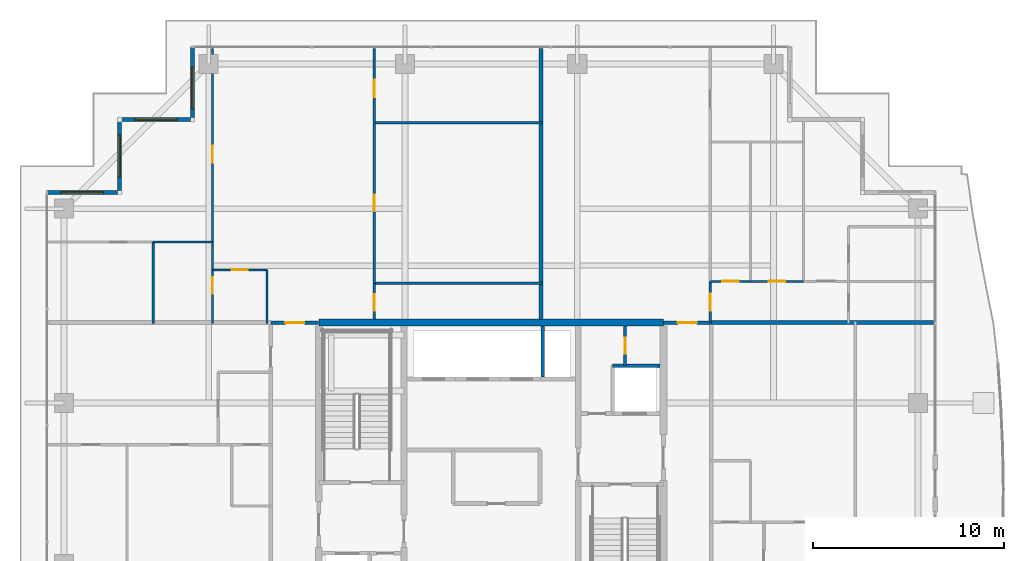
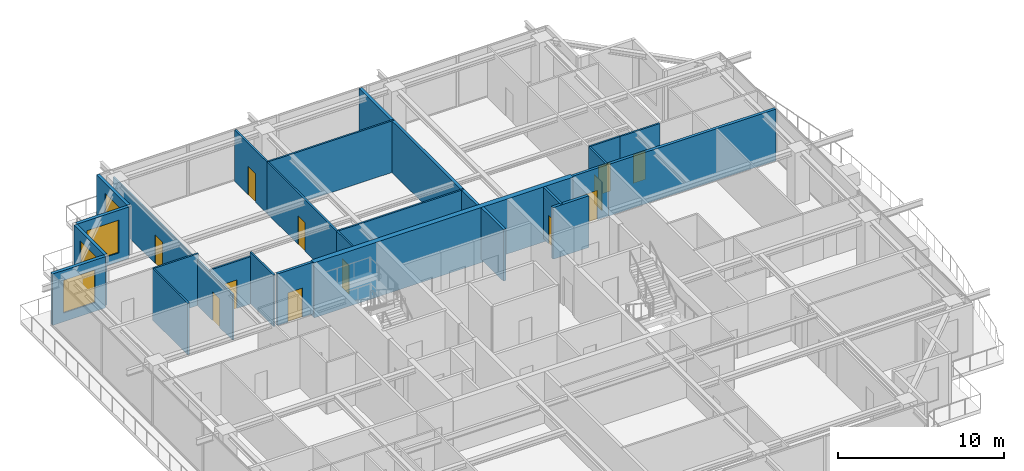
# One storey, part 34 of 42: 26 walls, 12 doors, 4 windows, 16 openings.
"""IFC4 building model written with IfcOpenShell, lengths in metres."""

from ifc_helpers import new_model, si_unit, direction, frame, frame_2d, origin, place, context, subcontext, project, spatial, rectangle, extrude, source, transform, mapped, material, layer, layer_set, type_object, element, fill, save


model = new_model("IFC4")

# Units and contexts
model_context = context("Model", 3, precision=1e-05, world=origin(), true_north=direction((0.0, 1.0)))
body_context = subcontext(model_context, "Body", "Model", "MODEL_VIEW")
ifc_project = project(units=[si_unit("LENGTHUNIT", "METRE"), si_unit("AREAUNIT", "SQUARE_METRE"), si_unit("VOLUMEUNIT", "CUBIC_METRE"), si_unit("PLANEANGLEUNIT", "RADIAN"), si_unit("MASSUNIT", "GRAM", prefix="KILO")], contexts=[model_context])

# Site, building, storey
site_placement = place(None, origin())
site = spatial("IfcSite", under=ifc_project, at=site_placement, CompositionType="ELEMENT")
building_placement = place(site_placement, origin())
building = spatial("IfcBuilding", under=site, at=building_placement, Name="Serunith Strait Residences", CompositionType="ELEMENT")
storey_placement = place(building_placement, frame((0.0, 0.0, 297.5)))
storey = spatial("IfcBuildingStorey", under=building, at=storey_placement, Name="L74", CompositionType="ELEMENT", Elevation=297.5)

# Wall, opening, window
ifc_material_1 = material(Name="Pale-Champagne Aluminium Insulated Panel", Category="aluminium")
ifc_layer_1 = layer(ifc_material_1, 0.219970703125, Name="Pale-Champagne Aluminium Insulated Panel")
ifc_layer_set_1 = layer_set([ifc_layer_1], Name="Pale-Champagne Aluminium Insulated Panel")
wall_type_1 = type_object("IfcWallType", Name="EW-ALUM-220", PredefinedType="ELEMENTEDWALL", material=ifc_layer_set_1)
wall_1_placement = place(storey_placement, frame((16.800048828125, 48.0, 0.0), z_axis=(0.0, 0.0, 1.0), x_axis=(0.0, -1.0, 0.0)))
wall_1 = element("IfcWall", 1, at=wall_1_placement, inside=storey, type_object=wall_type_1, Name="L74 Girih Serrated Corner Wall 12", PredefinedType="ELEMENTEDWALL", context=body_context, shape_type="SweptSolid", body=[
    extrude(rectangle(XDim=3.68994140625, YDim=0.219970703125, at=frame_2d((1.844970703125, 0.0))), origin(), (0.0, 0.0, 1.0), 3.77490234375),
])
opening_1_placement = place(wall_1_placement, frame((1.04296875, 0.0, 0.64990234375)))
opening_1 = element("IfcOpeningElement", 2, at=opening_1_placement, cuts=wall_1, Name="Opening W-06", PredefinedType="OPENING", context=body_context, shape_type="SweptSolid", body=[
    extrude(rectangle(XDim=2.199951171875, YDim=2.39990234375, at=frame_2d((1.10009765625, 1.199951171875))), frame((0.0, 0.1201171875, 0.0), z_axis=(0.0, -1.0, 0.0), x_axis=(1.0, 0.0, 0.0)), (0.0, 0.0, 1.0), 0.239990234375),
])
ifc_material_2 = material(Name="Crown Penthouse Low-E Operable Window Glass", Category="glass")
window_type = type_object("IfcWindowType", Name="WIN-C6", PartitioningType="TRIPLE_PANEL_VERTICAL", PredefinedType="WINDOW", material=ifc_material_2)
shared_shape_1 = source(origin(), body_context, "Body", "SweptSolid", [
    extrude(rectangle(XDim=2.199951171875, YDim=2.39990234375, at=frame_2d((1.10009765625, 1.199951171875))), frame((0.0, 0.030029296875, 0.0), z_axis=(0.0, -1.0, 0.0), x_axis=(1.0, 0.0, 0.0)), (0.0, 0.0, 1.0), 0.06005859375),
])
window_1_placement = place(opening_1_placement, origin())
window_1 = element("IfcWindow", 3, at=window_1_placement, inside=storey, type_object=window_type, Name="L74 Corner Operable Fritted Window 12", OverallHeight=2.39990234375, OverallWidth=2.199951171875, PartitioningType="SINGLE_PANEL", PredefinedType="WINDOW", context=body_context, shape_type="MappedRepresentation", body=[
    mapped(shared_shape_1, transform((0.0, 0.0, 0.0), scale=1.0)),
])
fill(opening_1, window_1)

wall_2_placement = place(storey_placement, frame((16.68994140625, 44.199951171875, 0.0), z_axis=(0.0, 0.0, 1.0), x_axis=(-1.0, 0.0, 0.0)))
wall_2 = element("IfcWall", 4, at=wall_2_placement, inside=storey, type_object=wall_type_1, Name="L74 Girih Serrated Corner Wall 13", PredefinedType="ELEMENTEDWALL", context=body_context, shape_type="SweptSolid", body=[
    extrude(rectangle(XDim=3.579833984375, YDim=0.219970703125, at=frame_2d((1.7900390625, 0.0))), origin(), (0.0, 0.0, 1.0), 3.77490234375),
])
opening_2_placement = place(wall_2_placement, frame((0.68994140625, 0.0, 0.64990234375)))
opening_2 = element("IfcOpeningElement", 5, at=opening_2_placement, cuts=wall_2, Name="Opening W-06", PredefinedType="OPENING", context=body_context, shape_type="SweptSolid", body=[
    extrude(rectangle(XDim=2.199951171875, YDim=2.39990234375, at=frame_2d((1.10009765625, 1.199951171875))), frame((0.0, 0.1201171875, 0.0), z_axis=(0.0, -1.0, 0.0), x_axis=(1.0, 0.0, 0.0)), (0.0, 0.0, 1.0), 0.239990234375),
])
window_2_placement = place(opening_2_placement, origin())
window_2 = element("IfcWindow", 6, at=window_2_placement, inside=storey, type_object=window_type, Name="L74 Corner Operable Fritted Window 13", OverallHeight=2.39990234375, OverallWidth=2.199951171875, PartitioningType="SINGLE_PANEL", PredefinedType="WINDOW", context=body_context, shape_type="MappedRepresentation", body=[
    mapped(shared_shape_1, transform((0.0, 0.0, 0.0), scale=1.0)),
])
fill(opening_2, window_2)

wall_3_placement = place(storey_placement, frame((13.0, 44.090087890625, 0.0), z_axis=(0.0, 0.0, 1.0), x_axis=(0.0, -1.0, 0.0)))
wall_3 = element("IfcWall", 7, at=wall_3_placement, inside=storey, type_object=wall_type_1, Name="L74 Girih Serrated Corner Wall 14", PredefinedType="ELEMENTEDWALL", context=body_context, shape_type="SweptSolid", body=[
    extrude(rectangle(XDim=3.580078125, YDim=0.219970703125, at=frame_2d((1.7900390625, 0.0))), origin(), (0.0, 0.0, 1.0), 3.77490234375),
])
opening_3_placement = place(wall_3_placement, frame((0.68994140625, 0.0, 0.64990234375)))
opening_3 = element("IfcOpeningElement", 8, at=opening_3_placement, cuts=wall_3, Name="Opening W-06", PredefinedType="OPENING", context=body_context, shape_type="SweptSolid", body=[
    extrude(rectangle(XDim=2.199951171875, YDim=2.39990234375, at=frame_2d((1.10009765625, 1.199951171875))), frame((0.0, 0.1201171875, 0.0), z_axis=(0.0, -1.0, 0.0), x_axis=(1.0, 0.0, 0.0)), (0.0, 0.0, 1.0), 0.239990234375),
])
window_3_placement = place(opening_3_placement, origin())
window_3 = element("IfcWindow", 9, at=window_3_placement, inside=storey, type_object=window_type, Name="L74 Corner Operable Fritted Window 14", OverallHeight=2.39990234375, OverallWidth=2.199951171875, PartitioningType="SINGLE_PANEL", PredefinedType="WINDOW", context=body_context, shape_type="MappedRepresentation", body=[
    mapped(shared_shape_1, transform((0.0, 0.0, 0.0), scale=1.0)),
])
fill(opening_3, window_3)

wall_4_placement = place(storey_placement, frame((12.889892578125, 40.39990234375, 0.0), z_axis=(0.0, 0.0, 1.0), x_axis=(-1.0, 0.0, 0.0)))
wall_4 = element("IfcWall", 10, at=wall_4_placement, inside=storey, type_object=wall_type_1, Name="L74 Girih Serrated Corner Wall 15", PredefinedType="ELEMENTEDWALL", context=body_context, shape_type="SweptSolid", body=[
    extrude(rectangle(XDim=3.68994140625, YDim=0.219970703125, at=frame_2d((1.844970703125, 0.0))), origin(), (0.0, 0.0, 1.0), 3.77490234375),
])
opening_4_placement = place(wall_4_placement, frame((0.7451171875, 0.0, 0.64990234375)))
opening_4 = element("IfcOpeningElement", 11, at=opening_4_placement, cuts=wall_4, Name="Opening W-06", PredefinedType="OPENING", context=body_context, shape_type="SweptSolid", body=[
    extrude(rectangle(XDim=2.199951171875, YDim=2.39990234375, at=frame_2d((1.10009765625, 1.199951171875))), frame((0.0, 0.1201171875, 0.0), z_axis=(0.0, -1.0, 0.0), x_axis=(1.0, 0.0, 0.0)), (0.0, 0.0, 1.0), 0.239990234375),
])
window_4_placement = place(opening_4_placement, origin())
window_4 = element("IfcWindow", 12, at=window_4_placement, inside=storey, type_object=window_type, Name="L74 Corner Operable Fritted Window 15", OverallHeight=2.39990234375, OverallWidth=2.199951171875, PartitioningType="SINGLE_PANEL", PredefinedType="WINDOW", context=body_context, shape_type="MappedRepresentation", body=[
    mapped(shared_shape_1, transform((0.0, 0.0, 0.0), scale=1.0)),
])
fill(opening_4, window_4)

# Wall, opening, door
ifc_material_3 = material(Name="Fire-rated masonry service closet wall", Category="masonry")
ifc_layer_2 = layer(ifc_material_3, 0.14990234375, Name="Fire-rated masonry service closet wall")
ifc_layer_set_2 = layer_set([ifc_layer_2], Name="Fire-rated masonry service closet wall")
wall_type_2 = type_object("IfcWallType", Name="IW-BOH-150", PredefinedType="PARTITIONING", material=ifc_layer_set_2)
wall_5_placement = place(storey_placement, frame((39.39990234375, 31.35009765625, 0.0), z_axis=(0.0, 0.0, 1.0), x_axis=(0.0, 1.0, 0.0)))
wall_5 = element("IfcWall", 13, at=wall_5_placement, inside=storey, type_object=wall_type_2, Name="L74 Partition Wall 012", PredefinedType="PARTITIONING", context=body_context, shape_type="SweptSolid", body=[
    extrude(rectangle(XDim=2.074951171875, YDim=0.14990234375, at=frame_2d((1.03759765625, 0.0))), origin(), (0.0, 0.0, 1.0), 3.7900390625),
])
opening_5_placement = place(wall_5_placement, frame((0.612060546875, 0.0, 0.0)))
opening_5 = element("IfcOpeningElement", 14, at=opening_5_placement, cuts=wall_5, Name="Opening FD-850", PredefinedType="OPENING", context=body_context, shape_type="SweptSolid", body=[
    extrude(rectangle(XDim=0.85009765625, YDim=2.10009765625, at=frame_2d((0.425048828125, 1.050048828125))), frame((0.0, 0.0849609375, 0.0), z_axis=(0.0, -1.0, 0.0), x_axis=(1.0, 0.0, 0.0)), (0.0, 0.0, 1.0), 0.169921875),
])
ifc_material_4 = material(Name="Powder-coated steel service closet door", Category="steel")
door_type_1 = type_object("IfcDoorType", Name="FD-BOH-850", OperationType="NOTDEFINED", PredefinedType="DOOR", material=ifc_material_4)
shared_shape_2 = source(origin(), body_context, "Body", "SweptSolid", [
    extrude(rectangle(XDim=0.85009765625, YDim=2.10009765625, at=frame_2d((0.425048828125, 1.050048828125))), frame((0.0, 0.02490234375, 0.0), z_axis=(0.0, -1.0, 0.0), x_axis=(1.0, 0.0, 0.0)), (0.0, 0.0, 1.0), 0.050048828125),
])
door_1_placement = place(opening_5_placement, origin())
door_1 = element("IfcDoor", 15, at=door_1_placement, inside=storey, type_object=door_type_1, Name="L74 Janitor Store Door", OperationType="SINGLE_SWING_RIGHT", OverallHeight=2.10009765625, OverallWidth=0.85009765625, PredefinedType="DOOR", context=body_context, shape_type="MappedRepresentation", body=[
    mapped(shared_shape_2, transform((0.0, 0.0, 0.0), scale=1.0)),
])
fill(opening_5, door_1)

ifc_material_5 = material(Name="Fire-rated acoustic gypsum partition")
ifc_layer_3 = layer(ifc_material_5, 0.179931640625, Name="Fire-rated acoustic gypsum partition")
ifc_layer_set_3 = layer_set([ifc_layer_3], Name="Fire-rated acoustic gypsum partition")
wall_type_3 = type_object("IfcWallType", Name="IW-CORR-180", PredefinedType="PARTITIONING", material=ifc_layer_set_3)
wall_6_placement = place(storey_placement, frame((20.902099609375, 33.60009765625, 0.0), z_axis=(0.0, 0.0, 1.0), x_axis=(1.0, 0.0, 0.0)))
wall_6 = element("IfcWall", 16, at=wall_6_placement, inside=storey, type_object=wall_type_3, Name="L74 Partition Wall 027", PredefinedType="PARTITIONING", context=body_context, shape_type="SweptSolid", body=[
    extrude(rectangle(XDim=2.495849609375, YDim=0.179931640625, at=frame_2d((1.248046875, 0.0))), origin(), (0.0, 0.0, 1.0), 3.7900390625),
])
opening_6_placement = place(wall_6_placement, frame((0.748046875, 0.0, 0.0)))
opening_6 = element("IfcOpeningElement", 17, at=opening_6_placement, cuts=wall_6, Name="Opening D-APT1000", PredefinedType="OPENING", context=body_context, shape_type="SweptSolid", body=[
    extrude(rectangle(XDim=1.0, YDim=2.14990234375, at=frame_2d((0.5, 1.074951171875))), frame((0.0, 0.10009765625, 0.0), z_axis=(0.0, -1.0, 0.0), x_axis=(1.0, 0.0, 0.0)), (0.0, 0.0, 1.0), 0.199951171875),
])
ifc_material_6 = material(Name="Solid timber engineered fire door", Category="wood")
door_type_2 = type_object("IfcDoorType", Name="ID-APT-1000", OperationType="NOTDEFINED", PredefinedType="DOOR", material=ifc_material_6)
shared_shape_3 = source(origin(), body_context, "Body", "SweptSolid", [
    extrude(rectangle(XDim=1.0, YDim=2.14990234375, at=frame_2d((0.5, 1.074951171875))), frame((0.0, 0.02490234375, 0.0), z_axis=(0.0, -1.0, 0.0), x_axis=(1.0, 0.0, 0.0)), (0.0, 0.0, 1.0), 0.050048828125),
])
door_2_placement = place(opening_6_placement, origin())
door_2 = element("IfcDoor", 18, at=door_2_placement, inside=storey, type_object=door_type_2, Name="L74 Unit 03 Entrance Door", OperationType="SINGLE_SWING_LEFT", OverallHeight=2.14990234375, OverallWidth=1.0, PredefinedType="DOOR", context=body_context, shape_type="MappedRepresentation", body=[
    mapped(shared_shape_3, transform((0.0, 0.0, 0.0), scale=1.0)),
])
fill(opening_6, door_2)

wall_7_placement = place(storey_placement, frame((41.402099609375, 33.60009765625, 0.0), z_axis=(0.0, 0.0, 1.0), x_axis=(1.0, 0.0, 0.0)))
wall_7 = element("IfcWall", 19, at=wall_7_placement, inside=storey, type_object=wall_type_3, Name="L74 Partition Wall 030", PredefinedType="PARTITIONING", context=body_context, shape_type="SweptSolid", body=[
    extrude(rectangle(XDim=2.495849609375, YDim=0.179931640625, at=frame_2d((1.248046875, 0.0))), origin(), (0.0, 0.0, 1.0), 3.7900390625),
])
opening_7_placement = place(wall_7_placement, frame((0.748046875, 0.0, 0.0)))
opening_7 = element("IfcOpeningElement", 20, at=opening_7_placement, cuts=wall_7, Name="Opening D-APT1000", PredefinedType="OPENING", context=body_context, shape_type="SweptSolid", body=[
    extrude(rectangle(XDim=1.0, YDim=2.14990234375, at=frame_2d((0.5, 1.074951171875))), frame((0.0, 0.10009765625, 0.0), z_axis=(0.0, -1.0, 0.0), x_axis=(1.0, 0.0, 0.0)), (0.0, 0.0, 1.0), 0.199951171875),
])
door_3_placement = place(opening_7_placement, origin())
door_3 = element("IfcDoor", 21, at=door_3_placement, inside=storey, type_object=door_type_2, Name="L74 Unit 04 Entrance Door", OperationType="SINGLE_SWING_RIGHT", OverallHeight=2.14990234375, OverallWidth=1.0, PredefinedType="DOOR", context=body_context, shape_type="MappedRepresentation", body=[
    mapped(shared_shape_3, transform((0.0, 0.0, 0.0), scale=1.0)),
])
fill(opening_7, door_3)

ifc_material_7 = material(Name="Lightweight steel-stud gypsum partition", Category="steel")
ifc_layer_4 = layer(ifc_material_7, 0.1201171875, Name="Lightweight steel-stud gypsum partition")
ifc_layer_set_4 = layer_set([ifc_layer_4], Name="Lightweight steel-stud gypsum partition")
wall_type_4 = type_object("IfcWallType", Name="IW-PART-120", PredefinedType="PARTITIONING", material=ifc_layer_set_4)
wall_8_placement = place(storey_placement, frame((17.85009765625, 36.35009765625, 0.0), z_axis=(0.0, 0.0, 1.0), x_axis=(1.0, 0.0, 0.0)))
wall_8 = element("IfcWall", 22, at=wall_8_placement, inside=storey, type_object=wall_type_4, Name="L74 Partition Wall 057", PredefinedType="PARTITIONING", context=body_context, shape_type="SweptSolid", body=[
    extrude(rectangle(XDim=2.849853515625, YDim=0.1201171875, at=frame_2d((1.4248046875, 0.0))), origin(), (0.0, 0.0, 1.0), 3.471923828125),
])
opening_8_placement = place(wall_8_placement, frame((1.0, 0.0, 0.0)))
opening_8 = element("IfcOpeningElement", 23, at=opening_8_placement, cuts=wall_8, Name="Opening D-RM850", PredefinedType="OPENING", context=body_context, shape_type="SweptSolid", body=[
    extrude(rectangle(XDim=0.85009765625, YDim=2.10009765625, at=frame_2d((0.425048828125, 1.050048828125))), frame((0.0, 0.070068359375, 0.0), z_axis=(0.0, -1.0, 0.0), x_axis=(1.0, 0.0, 0.0)), (0.0, 0.0, 1.0), 0.14013671875),
])
ifc_material_8 = material(Name="Engineered timber flush study and kitchen door", Category="wood")
door_type_3 = type_object("IfcDoorType", Name="ID-ROOM-850", OperationType="NOTDEFINED", PredefinedType="DOOR", material=ifc_material_8)
door_4_placement = place(opening_8_placement, origin())
door_4 = element("IfcDoor", 24, at=door_4_placement, inside=storey, type_object=door_type_3, Name="L74 Kitchen 7403 Door", OperationType="SINGLE_SWING_RIGHT", OverallHeight=2.10009765625, OverallWidth=0.85009765625, PredefinedType="DOOR", context=body_context, shape_type="MappedRepresentation", body=[
    mapped(shared_shape_2, transform((0.0, 0.0, 0.0), scale=1.0)),
])
fill(opening_8, door_4)

# Wall
wall_9_placement = place(storey_placement, frame((20.699951171875, 36.35009765625, 0.0), z_axis=(0.0, 0.0, 1.0), x_axis=(0.0, -1.0, 0.0)))
element("IfcWall", 25, at=wall_9_placement, inside=storey, type_object=wall_type_4, Name="L74 Partition Wall 058", PredefinedType="PARTITIONING", context=body_context, shape_type="SweptSolid", body=[
    extrude(rectangle(XDim=2.81005859375, YDim=0.1201171875, at=frame_2d((1.405029296875, 0.0))), origin(), (0.0, 0.0, 1.0), 3.7900390625),
])

# Wall, opening, door
wall_10_placement = place(storey_placement, frame((17.85009765625, 47.905029296875, 0.0), z_axis=(0.0, 0.0, 1.0), x_axis=(0.0, -1.0, 0.0)))
wall_10 = element("IfcWall", 26, at=wall_10_placement, inside=storey, type_object=wall_type_4, Name="L74 Partition Wall 059", PredefinedType="PARTITIONING", context=body_context, shape_type="SweptSolid", body=[
    extrude(rectangle(XDim=10.09814453125, YDim=0.1201171875, at=frame_2d((5.049072265625, 0.0))), origin(), (0.0, 0.0, 1.0), 3.2919921875),
])
opening_9_placement = place(wall_10_placement, frame((5.05908203125, 0.0, 0.0)))
opening_9 = element("IfcOpeningElement", 27, at=opening_9_placement, cuts=wall_10, Name="Opening D-RM900", PredefinedType="OPENING", context=body_context, shape_type="SweptSolid", body=[
    extrude(rectangle(XDim=0.89990234375, YDim=2.10009765625, at=frame_2d((0.449951171875, 1.050048828125))), frame((0.0, 0.070068359375, 0.0), z_axis=(0.0, -1.0, 0.0), x_axis=(1.0, 0.0, 0.0)), (0.0, 0.0, 1.0), 0.14013671875),
])
ifc_material_9 = material(Name="Engineered timber flush bedroom door", Category="wood")
door_type_4 = type_object("IfcDoorType", Name="ID-ROOM-900", OperationType="NOTDEFINED", PredefinedType="DOOR", material=ifc_material_9)
shared_shape_4 = source(origin(), body_context, "Body", "SweptSolid", [
    extrude(rectangle(XDim=0.89990234375, YDim=2.10009765625, at=frame_2d((0.449951171875, 1.050048828125))), frame((0.0, 0.02490234375, 0.0), z_axis=(0.0, -1.0, 0.0), x_axis=(1.0, 0.0, 0.0)), (0.0, 0.0, 1.0), 0.050048828125),
])
door_5_placement = place(opening_9_placement, origin())
door_5 = element("IfcDoor", 28, at=door_5_placement, inside=storey, type_object=door_type_4, Name="L74 Master Bedroom 1 7403 Door", OperationType="SINGLE_SWING_LEFT", OverallHeight=2.10009765625, OverallWidth=0.89990234375, PredefinedType="DOOR", context=body_context, shape_type="MappedRepresentation", body=[
    mapped(shared_shape_4, transform((0.0, 0.0, 0.0), scale=1.0)),
])
fill(opening_9, door_5)

# Walls
wall_11_placement = place(storey_placement, frame((14.751953125, 37.806884765625, 0.0), z_axis=(0.0, 0.0, 1.0), x_axis=(1.0, 0.0, 0.0)))
element("IfcWall", 29, at=wall_11_placement, inside=storey, type_object=wall_type_4, Name="L74 Partition Wall 061", PredefinedType="PARTITIONING", context=body_context, shape_type="SweptSolid", body=[
    extrude(rectangle(XDim=3.09814453125, YDim=0.1201171875, at=frame_2d((1.549072265625, 0.0))), origin(), (0.0, 0.0, 1.0), 3.7900390625),
])
wall_12_placement = place(storey_placement, frame((14.75, 37.806884765625, 0.0), z_axis=(0.0, 0.0, 1.0), x_axis=(0.0, -1.0, 0.0)))
element("IfcWall", 30, at=wall_12_placement, inside=storey, type_object=wall_type_4, Name="L74 Partition Wall 062", PredefinedType="PARTITIONING", context=body_context, shape_type="SweptSolid", body=[
    extrude(rectangle(XDim=4.266845703125, YDim=0.1201171875, at=frame_2d((2.13330078125, 0.0))), origin(), (0.0, 0.0, 1.0), 3.7900390625),
])

# Wall, opening, door
wall_13_placement = place(storey_placement, frame((17.85009765625, 37.804931640625, 0.0), z_axis=(0.0, 0.0, 1.0), x_axis=(0.0, -1.0, 0.0)))
wall_13 = element("IfcWall", 31, at=wall_13_placement, inside=storey, type_object=wall_type_4, Name="L74 Partition Wall 063", PredefinedType="PARTITIONING", context=body_context, shape_type="SweptSolid", body=[
    extrude(rectangle(XDim=4.264892578125, YDim=0.1201171875, at=frame_2d((2.13232421875, 0.0))), origin(), (0.0, 0.0, 1.0), 3.3720703125),
])
opening_10_placement = place(wall_13_placement, frame((1.847900390625, 0.0, 0.0)))
opening_10 = element("IfcOpeningElement", 32, at=opening_10_placement, cuts=wall_13, Name="Opening D-BTH850", PredefinedType="OPENING", context=body_context, shape_type="SweptSolid", body=[
    extrude(rectangle(XDim=0.85009765625, YDim=2.10009765625, at=frame_2d((0.425048828125, 1.050048828125))), frame((0.0, 0.070068359375, 0.0), z_axis=(0.0, -1.0, 0.0), x_axis=(1.0, 0.0, 0.0)), (0.0, 0.0, 1.0), 0.14013671875),
])
ifc_material_10 = material(Name="Moisture-resistant timber bathroom door", Category="wood")
door_type_5 = type_object("IfcDoorType", Name="ID-BATH-850", OperationType="NOTDEFINED", PredefinedType="DOOR", material=ifc_material_10)
door_6_placement = place(opening_10_placement, origin())
door_6 = element("IfcDoor", 33, at=door_6_placement, inside=storey, type_object=door_type_5, Name="L74 Bathroom 7403 Door", OperationType="SINGLE_SWING_LEFT", OverallHeight=2.10009765625, OverallWidth=0.85009765625, PredefinedType="DOOR", context=body_context, shape_type="MappedRepresentation", body=[
    mapped(shared_shape_2, transform((0.0, 0.0, 0.0), scale=1.0)),
])
fill(opening_10, door_6)

wall_14_placement = place(storey_placement, frame((26.300048828125, 47.905029296875, 0.0), z_axis=(0.0, 0.0, 1.0), x_axis=(0.0, -1.0, 0.0)))
wall_14 = element("IfcWall", 34, at=wall_14_placement, inside=storey, type_object=wall_type_4, Name="L74 Partition Wall 064", PredefinedType="PARTITIONING", context=body_context, shape_type="SweptSolid", body=[
    extrude(rectangle(XDim=3.866943359375, YDim=0.1201171875, at=frame_2d((1.93359375, 0.0))), origin(), (0.0, 0.0, 1.0), 3.7900390625),
])
opening_11_placement = place(wall_14_placement, frame((1.632080078125, 0.0, 0.0)))
opening_11 = element("IfcOpeningElement", 35, at=opening_11_placement, cuts=wall_14, Name="Opening D-RM900", PredefinedType="OPENING", context=body_context, shape_type="SweptSolid", body=[
    extrude(rectangle(XDim=0.89990234375, YDim=2.10009765625, at=frame_2d((0.449951171875, 1.050048828125))), frame((0.0, 0.070068359375, 0.0), z_axis=(0.0, -1.0, 0.0), x_axis=(1.0, 0.0, 0.0)), (0.0, 0.0, 1.0), 0.14013671875),
])
door_7_placement = place(opening_11_placement, origin())
door_7 = element("IfcDoor", 36, at=door_7_placement, inside=storey, type_object=door_type_4, Name="L74 Bedroom 2 7403 Door", OperationType="SINGLE_SWING_RIGHT", OverallHeight=2.10009765625, OverallWidth=0.89990234375, PredefinedType="DOOR", context=body_context, shape_type="MappedRepresentation", body=[
    mapped(shared_shape_4, transform((0.0, 0.0, 0.0), scale=1.0)),
])
fill(opening_11, door_7)

# Walls
for number, where, z_axis, x_axis, name in (
    (37, (26.300048828125, 44.0380859375, 0.0), (0.0, 0.0, 1.0), (1.0, 0.0, 0.0), "L74 Partition Wall 065"),
    (38, (26.300048828125, 35.64990234375, 0.0), (0.0, 0.0, 1.0), (1.0, 0.0, 0.0), "L74 Partition Wall 066"),
):
    element("IfcWall", number, at=place(storey_placement, frame(where, z_axis=z_axis, x_axis=x_axis)), inside=storey, type_object=wall_type_4, Name=name, PredefinedType="PARTITIONING", context=body_context, shape_type="SweptSolid", body=[
        extrude(rectangle(XDim=8.760009765625, YDim=0.1201171875, at=frame_2d((4.3798828125, 0.0))), origin(), (0.0, 0.0, 1.0), 3.7900390625),
    ])

# Wall, opening, door
wall_15_placement = place(storey_placement, frame((26.300048828125, 44.035888671875, 0.0), z_axis=(0.0, 0.0, 1.0), x_axis=(0.0, -1.0, 0.0)))
wall_15 = element("IfcWall", 39, at=wall_15_placement, inside=storey, type_object=wall_type_4, Name="L74 Partition Wall 067", PredefinedType="PARTITIONING", context=body_context, shape_type="SweptSolid", body=[
    extrude(rectangle(XDim=8.385986328125, YDim=0.1201171875, at=frame_2d((4.19287109375, 0.0))), origin(), (0.0, 0.0, 1.0), 3.7900390625),
])
opening_12_placement = place(wall_15_placement, frame((3.76806640625, 0.0, 0.0)))
opening_12 = element("IfcOpeningElement", 40, at=opening_12_placement, cuts=wall_15, Name="Opening D-RM850", PredefinedType="OPENING", context=body_context, shape_type="SweptSolid", body=[
    extrude(rectangle(XDim=0.85009765625, YDim=2.10009765625, at=frame_2d((0.425048828125, 1.050048828125))), frame((0.0, 0.070068359375, 0.0), z_axis=(0.0, -1.0, 0.0), x_axis=(1.0, 0.0, 0.0)), (0.0, 0.0, 1.0), 0.14013671875),
])
door_8_placement = place(opening_12_placement, origin())
door_8 = element("IfcDoor", 41, at=door_8_placement, inside=storey, type_object=door_type_3, Name="L74 Walk-in Wardrobe 7403 Door", OperationType="SINGLE_SWING_LEFT", OverallHeight=2.10009765625, OverallWidth=0.85009765625, PredefinedType="DOOR", context=body_context, shape_type="MappedRepresentation", body=[
    mapped(shared_shape_2, transform((0.0, 0.0, 0.0), scale=1.0)),
])
fill(opening_12, door_8)

wall_16_placement = place(storey_placement, frame((26.300048828125, 35.64794921875, 0.0), z_axis=(0.0, 0.0, 1.0), x_axis=(0.0, -1.0, 0.0)))
wall_16 = element("IfcWall", 42, at=wall_16_placement, inside=storey, type_object=wall_type_4, Name="L74 Partition Wall 068", PredefinedType="PARTITIONING", context=body_context, shape_type="SweptSolid", body=[
    extrude(rectangle(XDim=1.873046875, YDim=0.1201171875, at=frame_2d((0.9365234375, 0.0))), origin(), (0.0, 0.0, 1.0), 3.7900390625),
])
opening_13_placement = place(wall_16_placement, frame((0.574951171875, 0.0, 0.0)))
opening_13 = element("IfcOpeningElement", 43, at=opening_13_placement, cuts=wall_16, Name="Opening D-BTH850", PredefinedType="OPENING", context=body_context, shape_type="SweptSolid", body=[
    extrude(rectangle(XDim=0.85009765625, YDim=2.10009765625, at=frame_2d((0.425048828125, 1.050048828125))), frame((0.0, 0.070068359375, 0.0), z_axis=(0.0, -1.0, 0.0), x_axis=(1.0, 0.0, 0.0)), (0.0, 0.0, 1.0), 0.14013671875),
])
door_9_placement = place(opening_13_placement, origin())
door_9 = element("IfcDoor", 44, at=door_9_placement, inside=storey, type_object=door_type_5, Name="L74 Bathroom 7403 Door", OperationType="SINGLE_SWING_RIGHT", OverallHeight=2.10009765625, OverallWidth=0.85009765625, PredefinedType="DOOR", context=body_context, shape_type="MappedRepresentation", body=[
    mapped(shared_shape_2, transform((0.0, 0.0, 0.0), scale=1.0)),
])
fill(opening_13, door_9)

wall_17_placement = place(storey_placement, frame((43.85009765625, 35.75, 0.0), z_axis=(0.0, 0.0, 1.0), x_axis=(0.0, -1.0, 0.0)))
wall_17 = element("IfcWall", 45, at=wall_17_placement, inside=storey, type_object=wall_type_4, Name="L74 Partition Wall 069", PredefinedType="PARTITIONING", context=body_context, shape_type="SweptSolid", body=[
    extrude(rectangle(XDim=2.14794921875, YDim=0.1201171875, at=frame_2d((1.073974609375, 0.0))), origin(), (0.0, 0.0, 1.0), 3.7900390625),
])
opening_14_placement = place(wall_17_placement, frame((0.64208984375, 0.0, 0.0)))
opening_14 = element("IfcOpeningElement", 46, at=opening_14_placement, cuts=wall_17, Name="Opening D-RM900", PredefinedType="OPENING", context=body_context, shape_type="SweptSolid", body=[
    extrude(rectangle(XDim=0.89990234375, YDim=2.10009765625, at=frame_2d((0.449951171875, 1.050048828125))), frame((0.0, 0.070068359375, 0.0), z_axis=(0.0, -1.0, 0.0), x_axis=(1.0, 0.0, 0.0)), (0.0, 0.0, 1.0), 0.14013671875),
])
door_10_placement = place(opening_14_placement, origin())
door_10 = element("IfcDoor", 47, at=door_10_placement, inside=storey, type_object=door_type_4, Name="L74 Hall E 7404 Door", OperationType="SINGLE_SWING_LEFT", OverallHeight=2.10009765625, OverallWidth=0.89990234375, PredefinedType="DOOR", context=body_context, shape_type="MappedRepresentation", body=[
    mapped(shared_shape_4, transform((0.0, 0.0, 0.0), scale=1.0)),
])
fill(opening_14, door_10)

wall_18_placement = place(storey_placement, frame((43.85009765625, 35.75, 0.0), z_axis=(0.0, 0.0, 1.0), x_axis=(1.0, 0.0, 0.0)))
wall_18 = element("IfcWall", 48, at=wall_18_placement, inside=storey, type_object=wall_type_4, Name="L74 Partition Wall 075", PredefinedType="PARTITIONING", context=body_context, shape_type="SweptSolid", body=[
    extrude(rectangle(XDim=2.099853515625, YDim=0.1201171875, at=frame_2d((1.0498046875, 0.0))), origin(), (0.0, 0.0, 1.0), 3.7900390625),
])
opening_15_placement = place(wall_18_placement, frame((0.625, 0.0, 0.0)))
opening_15 = element("IfcOpeningElement", 49, at=opening_15_placement, cuts=wall_18, Name="Opening D-BTH850", PredefinedType="OPENING", context=body_context, shape_type="SweptSolid", body=[
    extrude(rectangle(XDim=0.85009765625, YDim=2.10009765625, at=frame_2d((0.425048828125, 1.050048828125))), frame((0.0, 0.070068359375, 0.0), z_axis=(0.0, -1.0, 0.0), x_axis=(1.0, 0.0, 0.0)), (0.0, 0.0, 1.0), 0.14013671875),
])
door_11_placement = place(opening_15_placement, origin())
door_11 = element("IfcDoor", 50, at=door_11_placement, inside=storey, type_object=door_type_5, Name="L74 Bathroom 7404 Door", OperationType="SINGLE_SWING_LEFT", OverallHeight=2.10009765625, OverallWidth=0.85009765625, PredefinedType="DOOR", context=body_context, shape_type="MappedRepresentation", body=[
    mapped(shared_shape_2, transform((0.0, 0.0, 0.0), scale=1.0)),
])
fill(opening_15, door_11)

wall_19_placement = place(storey_placement, frame((45.951904296875, 35.75, 0.0), z_axis=(0.0, 0.0, 1.0), x_axis=(1.0, 0.0, 0.0)))
wall_19 = element("IfcWall", 51, at=wall_19_placement, inside=storey, type_object=wall_type_4, Name="L74 Partition Wall 076", PredefinedType="PARTITIONING", context=body_context, shape_type="SweptSolid", body=[
    extrude(rectangle(XDim=2.76806640625, YDim=0.1201171875, at=frame_2d((1.384033203125, 0.0))), origin(), (0.0, 0.0, 1.0), 3.7900390625),
])
opening_16_placement = place(wall_19_placement, frame((0.958984375, 0.0, 0.0)))
opening_16 = element("IfcOpeningElement", 52, at=opening_16_placement, cuts=wall_19, Name="Opening D-RM850", PredefinedType="OPENING", context=body_context, shape_type="SweptSolid", body=[
    extrude(rectangle(XDim=0.85009765625, YDim=2.10009765625, at=frame_2d((0.425048828125, 1.050048828125))), frame((0.0, 0.070068359375, 0.0), z_axis=(0.0, -1.0, 0.0), x_axis=(1.0, 0.0, 0.0)), (0.0, 0.0, 1.0), 0.14013671875),
])
door_12_placement = place(opening_16_placement, origin())
door_12 = element("IfcDoor", 53, at=door_12_placement, inside=storey, type_object=door_type_3, Name="L74 Kitchen 7404 Door", OperationType="SINGLE_SWING_RIGHT", OverallHeight=2.10009765625, OverallWidth=0.85009765625, PredefinedType="DOOR", context=body_context, shape_type="MappedRepresentation", body=[
    mapped(shared_shape_2, transform((0.0, 0.0, 0.0), scale=1.0)),
])
fill(opening_16, door_12)

# Walls
ifc_material_11 = material(Name="Twin-stud acoustic gypsum board partition")
ifc_layer_5 = layer(ifc_material_11, 0.199951171875, Name="Twin-stud acoustic gypsum board partition")
ifc_layer_set_5 = layer_set([ifc_layer_5], Name="Twin-stud acoustic gypsum board partition")
wall_type_5 = type_object("IfcWallType", Name="IW-PARTY-200", PredefinedType="PARTITIONING", material=ifc_layer_set_5)
wall_20_placement = place(storey_placement, frame((35.0, 33.77490234375, 0.0), z_axis=(0.0, 0.0, 1.0), x_axis=(0.0, 1.0, 0.0)))
element("IfcWall", 54, at=wall_20_placement, inside=storey, type_object=wall_type_5, Name="L74 Partition Wall 021", PredefinedType="PARTITIONING", context=body_context, shape_type="SweptSolid", body=[
    extrude(rectangle(XDim=14.14306640625, YDim=0.199951171875, at=frame_2d((7.071533203125, 0.0))), origin(), (0.0, 0.0, 1.0), 3.7900390625),
])
wall_21_placement = place(storey_placement, frame((43.89990234375, 33.60009765625, 0.0), z_axis=(0.0, 0.0, 1.0), x_axis=(1.0, 0.0, 0.0)))
element("IfcWall", 55, at=wall_21_placement, inside=storey, type_object=wall_type_5, Name="L74 Partition Wall 025", PredefinedType="PARTITIONING", context=body_context, shape_type="SweptSolid", body=[
    extrude(rectangle(XDim=11.6181640625, YDim=0.199951171875, at=frame_2d((5.80908203125, 0.0))), origin(), (0.0, 0.0, 1.0), 3.7900390625),
])
ifc_material_12 = material(Name="Autoclaved aerated concrete blockwork", Category="masonry")
ifc_layer_6 = layer(ifc_material_12, 0.199951171875, Name="Autoclaved aerated concrete blockwork")
ifc_layer_set_6 = layer_set([ifc_layer_6], Name="Autoclaved aerated concrete blockwork")
wall_type_6 = type_object("IfcWallType", Name="IW-SHAFT-200", PredefinedType="STANDARD", material=ifc_layer_set_6)
wall_22_placement = place(storey_placement, frame((35.10009765625, 30.75, 0.0), z_axis=(0.0, 0.0, 1.0), x_axis=(0.0, 1.0, 0.0)))
element("IfcWall", 56, at=wall_22_placement, inside=storey, type_object=wall_type_6, Name="L74 SL-1 West Shaft Wall", PredefinedType="STANDARD", context=body_context, shape_type="SweptSolid", body=[
    extrude(rectangle(XDim=2.675048828125, YDim=0.199951171875, at=frame_2d((1.33740234375, 0.0))), origin(), (0.0, 0.0, 1.0), 3.7900390625),
])
wall_23_placement = place(storey_placement, frame((38.75, 31.35009765625, 0.0), z_axis=(0.0, 0.0, 1.0), x_axis=(1.0, 0.0, 0.0)))
element("IfcWall", 57, at=wall_23_placement, inside=storey, type_object=wall_type_6, Name="L74 Partition Wall 005", PredefinedType="STANDARD", context=body_context, shape_type="SweptSolid", body=[
    extrude(rectangle(XDim=2.47509765625, YDim=0.199951171875, at=frame_2d((1.237548828125, 0.0))), origin(), (0.0, 0.0, 1.0), 3.7900390625),
])
ifc_material_13 = material(Name="Concrete C60/75", Category="concrete")
ifc_layer_7 = layer(ifc_material_13, 0.35009765625, Name="Concrete C60/75")
ifc_layer_set_7 = layer_set([ifc_layer_7], Name="Concrete C60/75")
wall_type_7 = type_object("IfcWallType", Name="SW-350-C60", PredefinedType="SHEAR", material=ifc_layer_set_7)
wall_24_placement = place(storey_placement, frame((41.39990234375, 33.60009765625, -0.260009765625), z_axis=(0.0, 0.0, 1.0), x_axis=(-1.0, 0.0, 0.0)))
element("IfcWall", 58, at=wall_24_placement, inside=storey, type_object=wall_type_7, Name="L74 Core North Shear Wall", PredefinedType="SHEAR", context=body_context, shape_type="SweptSolid", body=[
    extrude(rectangle(XDim=18.0, YDim=0.35009765625, at=frame_2d((9.0, 0.0))), origin(), (0.0, 0.0, 1.0), 4.048095703125),
])

save(model, "model.ifc")
